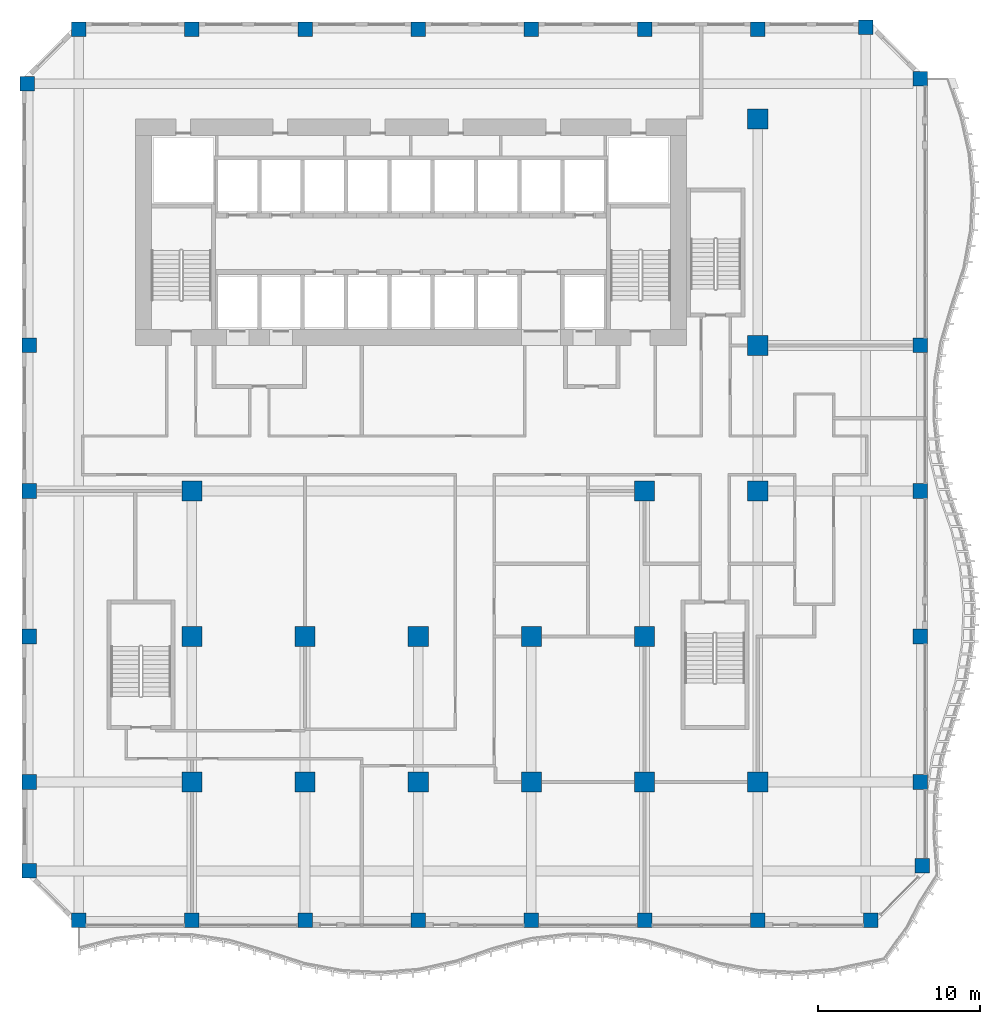
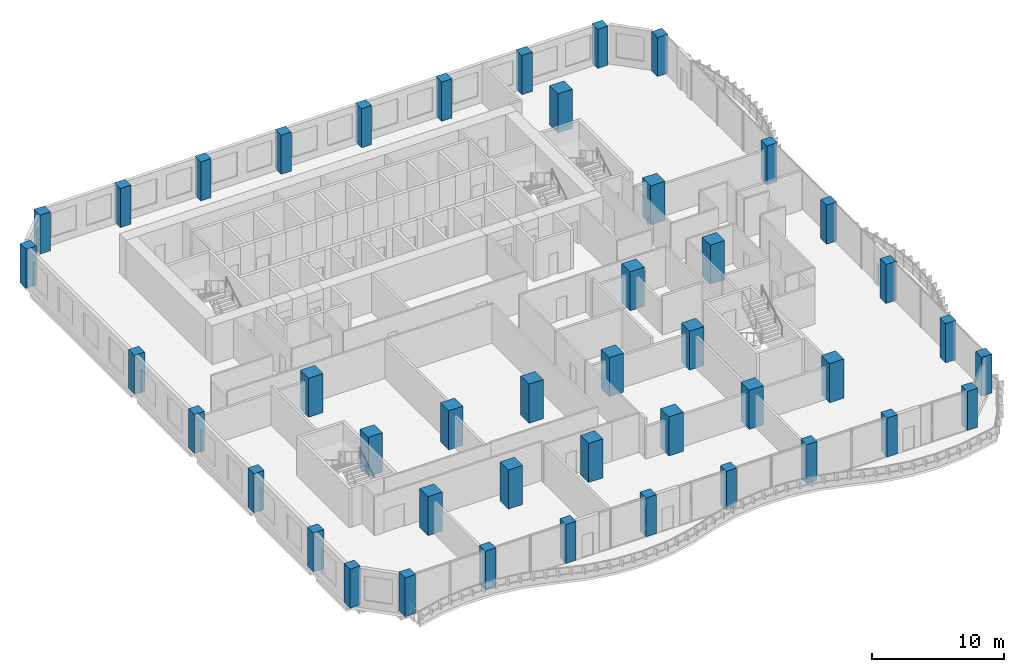
# One storey, part 1 of 21: 44 columns.
"""IFC4 building model written with IfcOpenShell, lengths in metres."""

from ifc_helpers import new_model, si_unit, direction, frame, origin, origin_2d, place, context, subcontext, project, spatial, rectangle, extrude, source, transform, mapped, material, material_profile, profile_set, type_object, element, save


model = new_model("IFC4")

# Units and contexts
model_context = context("Model", 3, precision=1e-05, world=origin(), true_north=direction((0.0, 1.0)))
body_context = subcontext(model_context, "Body", "Model", "MODEL_VIEW")
ifc_project = project(units=[si_unit("LENGTHUNIT", "METRE"), si_unit("AREAUNIT", "SQUARE_METRE"), si_unit("VOLUMEUNIT", "CUBIC_METRE"), si_unit("PLANEANGLEUNIT", "RADIAN"), si_unit("MASSUNIT", "GRAM", prefix="KILO")], contexts=[model_context])

# Site, building, storey
site_placement = place(None, origin())
site = spatial("IfcSite", under=ifc_project, at=site_placement, CompositionType="ELEMENT")
building_placement = place(site_placement, origin())
building = spatial("IfcBuilding", under=site, at=building_placement, Name="Kilnfold Tower and Market Hall", CompositionType="ELEMENT")
storey_placement = place(building_placement, frame((0.0, 0.0, 91.199951171875)))
storey = spatial("IfcBuildingStorey", under=building, at=storey_placement, Name="L21", CompositionType="ELEMENT", Elevation=91.199951171875)

# Columns
ifc_material_1 = material(Name="Concrete C80", Category="concrete")
ifc_material_profile_1 = material_profile(ifc_material_1, rectangle(XDim=0.89990234375, YDim=0.89990234375, at=origin_2d()), Name="RC 900x900")
ifc_profile_set_1 = profile_set([ifc_material_profile_1], Name="Concrete C80")
column_type_1 = type_object("IfcColumnType", Name="COLUMN 900X900 C80", PredefinedType="COLUMN", material=ifc_profile_set_1)
shared_shape_1 = source(origin(), body_context, "Body", "SweptSolid", [
    extrude(rectangle(XDim=0.89990234375, YDim=0.89990234375, at=origin_2d()), origin(), (0.0, 0.0, 1.0), 3.60009765625),
])
for number, where, z_axis, x_axis, name in (
    (1, (-22.681884765625, 24.181884765625, 0.0), (0.0, 0.0, 1.0), (1.0, 0.0, 0.0), "Column C-B2-1H"),
    (2, (-22.550048828125, -24.5, 0.0), (0.0, 0.0, 1.0), (1.0, 0.0, 0.0), "Column C-B2-1B"),
    (3, (-22.550048828125, -19.0, 0.0), (0.0, 0.0, 1.0), (1.0, 0.0, 0.0), "Column C-B2-1C"),
    (4, (-22.550048828125, -10.0, 0.0), (0.0, 0.0, 1.0), (1.0, 0.0, 0.0), "Column C-B2-1D"),
    (5, (-22.550048828125, -1.0, 0.0), (0.0, 0.0, 1.0), (1.0, 0.0, 0.0), "Column C-B2-1E"),
    (6, (-22.550048828125, 8.0, 0.0), (0.0, 0.0, 1.0), (1.0, 0.0, 0.0), "Column C-B2-1F"),
    (7, (-19.5, -27.550048828125, 0.0), (0.0, 0.0, 1.0), (1.0, 0.0, 0.0), "Column C-B2-2A"),
    (8, (-19.5, 27.550048828125, 0.0), (0.0, 0.0, 1.0), (1.0, 0.0, 0.0), "Column C-B2-2I"),
    (9, (-12.5, -27.550048828125, 0.0), (0.0, 0.0, 1.0), (1.0, 0.0, 0.0), "Column C-B2-3A"),
    (10, (-12.5, 27.550048828125, 0.0), (0.0, 0.0, 1.0), (1.0, 0.0, 0.0), "Column C-B2-3I"),
    (11, (-5.5, -27.550048828125, 0.0), (0.0, 0.0, 1.0), (1.0, 0.0, 0.0), "Column C-B2-4A"),
    (12, (-5.5, 27.550048828125, 0.0), (0.0, 0.0, 1.0), (1.0, 0.0, 0.0), "Column C-B2-4I"),
    (13, (1.5, -27.550048828125, 0.0), (0.0, 0.0, 1.0), (1.0, 0.0, 0.0), "Column C-B2-5A"),
    (14, (1.5, 27.550048828125, 0.0), (0.0, 0.0, 1.0), (1.0, 0.0, 0.0), "Column C-B2-5I"),
    (15, (8.5, -27.550048828125, 0.0), (0.0, 0.0, 1.0), (1.0, 0.0, 0.0), "Column C-B2-6A"),
    (16, (8.5, 27.550048828125, 0.0), (0.0, 0.0, 1.0), (1.0, 0.0, 0.0), "Column C-B2-6I"),
    (17, (15.5, -27.550048828125, 0.0), (0.0, 0.0, 1.0), (1.0, 0.0, 0.0), "Column C-B2-7A"),
    (18, (15.5, 27.550048828125, 0.0), (0.0, 0.0, 1.0), (1.0, 0.0, 0.0), "Column C-B2-7I"),
    (19, (22.5, -27.550048828125, 0.0), (0.0, 0.0, 1.0), (1.0, 0.0, 0.0), "Column C-B2-8A"),
    (20, (22.5, 27.550048828125, 0.0), (0.0, 0.0, 1.0), (1.0, 0.0, 0.0), "Column C-B2-8I"),
    (21, (29.181884765625, 27.681884765625, 0.0), (0.0, 0.0, 1.0), (1.0, 0.0, 0.0), "Column C-B2-9I"),
    (22, (29.5, -27.550048828125, 0.0), (0.0, 0.0, 1.0), (1.0, 0.0, 0.0), "Column C-B2-9A"),
    (23, (32.550048828125, -19.0, 0.0), (0.0, 0.0, 1.0), (1.0, 0.0, 0.0), "Column C-B2-10C"),
    (24, (32.550048828125, -10.0, 0.0), (0.0, 0.0, 1.0), (1.0, 0.0, 0.0), "Column C-B2-10D"),
    (25, (32.550048828125, -1.0, 0.0), (0.0, 0.0, 1.0), (1.0, 0.0, 0.0), "Column C-B2-10E"),
    (26, (32.550048828125, 8.0, 0.0), (0.0, 0.0, 1.0), (1.0, 0.0, 0.0), "Column C-B2-10F"),
    (27, (32.550048828125, 24.5, 0.0), (0.0, 0.0, 1.0), (1.0, 0.0, 0.0), "Column C-B2-10H"),
    (28, (32.681884765625, -24.181884765625, 0.0), (0.0, 0.0, 1.0), (1.0, 0.0, 0.0), "Column C-B2-10B"),
):
    element("IfcColumn", number, at=place(storey_placement, frame(where, z_axis=z_axis, x_axis=x_axis)), inside=storey, type_object=column_type_1, Name=name, PredefinedType="COLUMN", context=body_context, shape_type="MappedRepresentation", body=[
        mapped(shared_shape_1, transform((0.0, 0.0, 0.0))),
    ])
ifc_material_2 = material(Name="Concrete C80", Category="concrete")
ifc_material_profile_2 = material_profile(ifc_material_2, rectangle(XDim=1.25, YDim=1.25, at=origin_2d()), Name="RC 1250x1250")
ifc_profile_set_2 = profile_set([ifc_material_profile_2], Name="Concrete C80")
column_type_2 = type_object("IfcColumnType", Name="COLUMN 1250X1250 C80", PredefinedType="COLUMN", material=ifc_profile_set_2)
shared_shape_2 = source(origin(), body_context, "Body", "SweptSolid", [
    extrude(rectangle(XDim=1.25, YDim=1.25, at=origin_2d()), origin(), (0.0, 0.0, 1.0), 3.60009765625),
])
for number, where, z_axis, x_axis, name in (
    (29, (-12.5, -19.0, 0.0), (0.0, 0.0, 1.0), (1.0, 0.0, 0.0), "Column C-B2-3C"),
    (30, (-12.5, -10.0, 0.0), (0.0, 0.0, 1.0), (1.0, 0.0, 0.0), "Column C-B2-3D"),
    (31, (-12.5, -1.0, 0.0), (0.0, 0.0, 1.0), (1.0, 0.0, 0.0), "Column C-B2-3E"),
    (32, (-5.5, -19.0, 0.0), (0.0, 0.0, 1.0), (1.0, 0.0, 0.0), "Column C-B2-4C"),
    (33, (-5.5, -10.0, 0.0), (0.0, 0.0, 1.0), (1.0, 0.0, 0.0), "Column C-B2-4D"),
    (34, (1.5, -19.0, 0.0), (0.0, 0.0, 1.0), (1.0, 0.0, 0.0), "Column C-B2-5C"),
    (35, (1.5, -10.0, 0.0), (0.0, 0.0, 1.0), (1.0, 0.0, 0.0), "Column C-B2-5D"),
    (36, (8.5, -19.0, 0.0), (0.0, 0.0, 1.0), (1.0, 0.0, 0.0), "Column C-B2-6C"),
    (37, (8.5, -10.0, 0.0), (0.0, 0.0, 1.0), (1.0, 0.0, 0.0), "Column C-B2-6D"),
    (38, (15.5, -19.0, 0.0), (0.0, 0.0, 1.0), (1.0, 0.0, 0.0), "Column C-B2-7C"),
    (39, (15.5, -10.0, 0.0), (0.0, 0.0, 1.0), (1.0, 0.0, 0.0), "Column C-B2-7D"),
    (40, (15.5, -1.0, 0.0), (0.0, 0.0, 1.0), (1.0, 0.0, 0.0), "Column C-B2-7E"),
    (41, (22.5, -19.0, 0.0), (0.0, 0.0, 1.0), (1.0, 0.0, 0.0), "Column C-B2-8C"),
    (42, (22.5, -1.0, 0.0), (0.0, 0.0, 1.0), (1.0, 0.0, 0.0), "Column C-B2-8E"),
    (43, (22.5, 8.0, 0.0), (0.0, 0.0, 1.0), (1.0, 0.0, 0.0), "Column C-B2-8F"),
    (44, (22.5, 22.0, 0.0), (0.0, 0.0, 1.0), (1.0, 0.0, 0.0), "Column C-B2-8G"),
):
    element("IfcColumn", number, at=place(storey_placement, frame(where, z_axis=z_axis, x_axis=x_axis)), inside=storey, type_object=column_type_2, Name=name, PredefinedType="COLUMN", context=body_context, shape_type="MappedRepresentation", body=[
        mapped(shared_shape_2, transform((0.0, 0.0, 0.0))),
    ])

save(model, "model.ifc")
